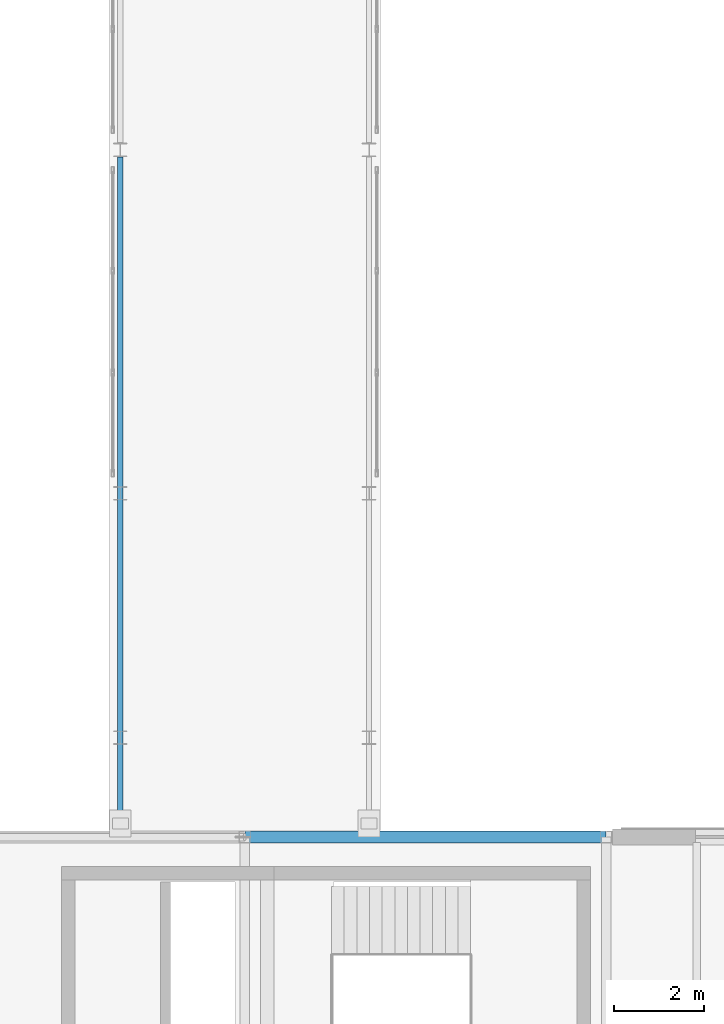
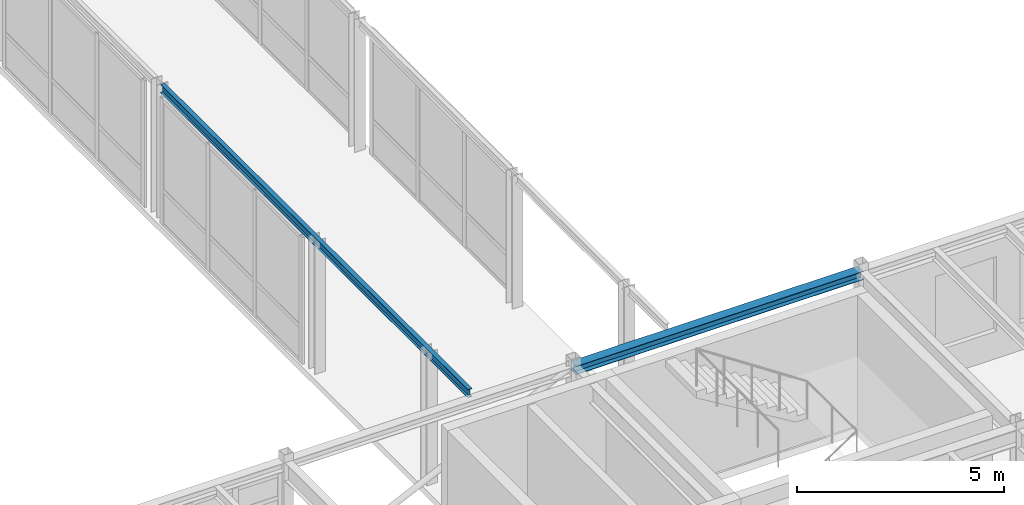
# One storey, part 124 of 189: 2 beams.
"""IFC4 building model written with IfcOpenShell, lengths in metres."""

from ifc_helpers import new_model, si_unit, direction, frame, origin, origin_2d, place, context, subcontext, project, spatial, i_section, extrude, material, material_profile, profile_set, type_object, element, save


model = new_model("IFC4")

# Units and contexts
model_context = context("Model", 3, precision=1e-05, world=origin(), true_north=direction((0.0, 1.0)))
body_context = subcontext(model_context, "Body", "Model", "MODEL_VIEW")
ifc_project = project(units=[si_unit("LENGTHUNIT", "METRE"), si_unit("AREAUNIT", "SQUARE_METRE"), si_unit("VOLUMEUNIT", "CUBIC_METRE"), si_unit("PLANEANGLEUNIT", "RADIAN"), si_unit("MASSUNIT", "GRAM", prefix="KILO")], contexts=[model_context])

# Site, building, storey
site_placement = place(None, origin())
site = spatial("IfcSite", under=ifc_project, at=site_placement, CompositionType="ELEMENT")
building_placement = place(site_placement, origin())
building = spatial("IfcBuilding", under=site, at=building_placement, Name="Montecoro Central Library", CompositionType="ELEMENT")
storey_placement = place(building_placement, frame((0.0, 0.0, 9.179931640625)))
storey = spatial("IfcBuildingStorey", under=building, at=storey_placement, Name="L02", CompositionType="ELEMENT", Elevation=9.179931640625)

# Beams
ifc_material = material(Name="Steel S355", Category="steel")
ifc_material_profile_1 = material_profile(ifc_material, i_section(OverallWidth=0.260009765625, OverallDepth=0.25, WebThickness=0.007568359375, FlangeThickness=0.012451171875, at=origin_2d()), Name="HEA 260")
ifc_profile_set_1 = profile_set([ifc_material_profile_1], Name="Steel S355")
beam_type_1 = type_object("IfcBeamType", Name="BM-SP-HEA260", PredefinedType="SPANDREL", material=ifc_profile_set_1)
beam_1_placement = place(storey_placement, frame((157.0048828125, 43.0, 3.699951171875), z_axis=(1.0, 0.0, 0.0), x_axis=(0.0, 1.0, 0.0)))
element("IfcBeam", 1, at=beam_1_placement, inside=storey, type_object=beam_type_1, Name="V6-L02-BX-2021-F", PredefinedType="SPANDREL", context=body_context, shape_type="SweptSolid", body=[
    extrude(i_section(OverallWidth=0.260009765625, OverallDepth=0.25, WebThickness=0.007568359375, FlangeThickness=0.012451171875, at=origin_2d()), origin(), (0.0, 0.0, 1.0), 7.990234375),
])
ifc_material_profile_2 = material_profile(ifc_material, i_section(OverallWidth=0.1201171875, OverallDepth=0.239990234375, WebThickness=0.006103515625, FlangeThickness=0.009765625, at=origin_2d()), Name="IPE 240")
ifc_profile_set_2 = profile_set([ifc_material_profile_2], Name="Steel S355")
beam_type_2 = type_object("IfcBeamType", Name="BM-SP-IPE240", PredefinedType="SPANDREL", material=ifc_profile_set_2)
beam_2_placement = place(storey_placement, frame((154.25, 43.219970703125, 3.7880859375), z_axis=(0.0, 1.0, 0.0), x_axis=(-1.0, 0.0, 0.0)))
element("IfcBeam", 2, at=beam_2_placement, inside=storey, type_object=beam_type_2, Name="BR-E-ROOF-BM-W1", PredefinedType="SPANDREL", context=body_context, shape_type="SweptSolid", body=[
    extrude(i_section(OverallWidth=0.1201171875, OverallDepth=0.239990234375, WebThickness=0.006103515625, FlangeThickness=0.009765625, at=origin_2d()), origin(), (0.0, 0.0, 1.0), 14.820068359375),
])

save(model, "model.ifc")
